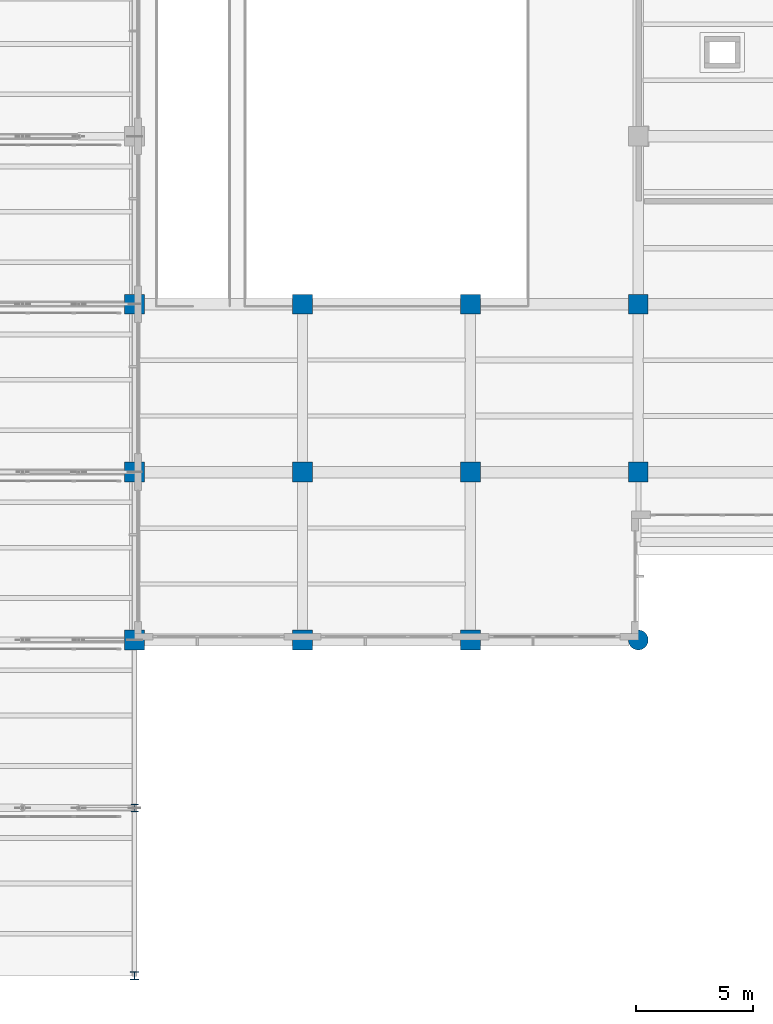
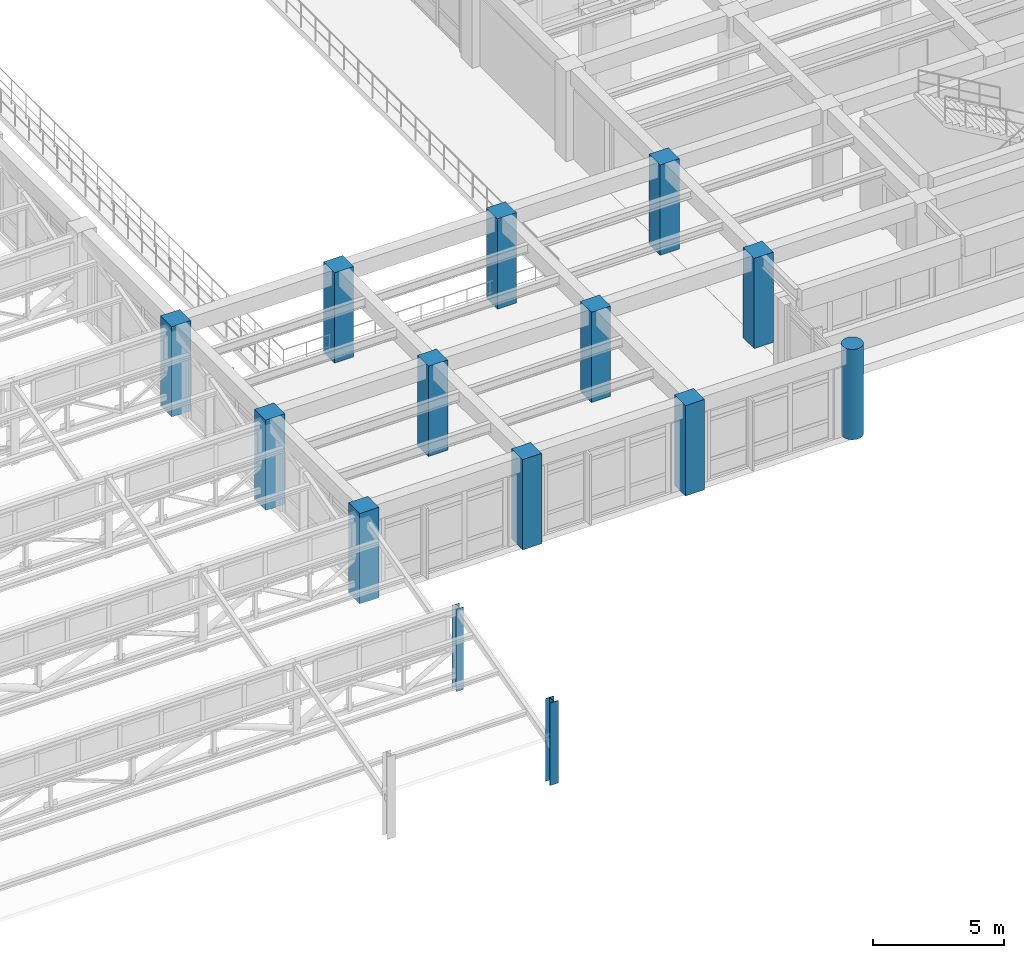
# One storey, part 2 of 98: 14 columns.
"""IFC4 building model written with IfcOpenShell, lengths in metres."""

import ifcopenshell
import ifcopenshell.guid

model = None  # the IFC model being written
_history = None  # IfcOwnerHistory: only IFC2X3 demands one
_inside = {}  # id of a spatial element -> (the spatial element, [elements in it])
_under = {}  # id of a project, library or spatial element -> (it, [spatial elements below it])
_declared = {}  # id of a project -> (the project, [libraries it declares])
_typed = {}  # id of a type object -> (the type object, [elements of that type])
_made_of = {}  # id of a material, layer set ... -> (it, [elements and type objects made of it])


def new_model(schema):
    """Start an empty IFC model of exactly this schema.

    Asked for "IFC4X3", IfcOpenShell would pick the latest addendum, in which some entities
    have other attributes; the version numbers below select the first issue.
    IFC2X3 requires an IfcOwnerHistory on every rooted entity: one is made here for all.
    """
    global model, _history
    if schema == "IFC4X3":
        model = ifcopenshell.file(schema_version=(4, 3, 0, 0))
    else:
        model = ifcopenshell.file(schema=schema)
    _inside.clear()
    _under.clear()
    _declared.clear()
    _typed.clear()
    _made_of.clear()
    _history = None
    if model.schema == "IFC2X3":
        org = make("IfcOrganization", Name="unknown")
        user = make(
            "IfcPersonAndOrganization",
            ThePerson=make("IfcPerson", FamilyName="unknown"),
            TheOrganization=org,
        )
        app = make(
            "IfcApplication",
            ApplicationDeveloper=org,
            Version="unknown",
            ApplicationFullName="unknown",
            ApplicationIdentifier="unknown",
        )
        _history = make(
            "IfcOwnerHistory",
            OwningUser=user,
            OwningApplication=app,
            ChangeAction="ADDED",
            CreationDate=0,
        )
    return model


def make(cls, **values):
    """One entity of the class cls with the attributes given. An attribute that is None is left unset."""
    return model.create_entity(
        cls, **{name: value for name, value in values.items() if value is not None}
    )


def rooted(cls, **values):
    """An entity with a GlobalId (a new one), such as an element, a storey or a relation."""
    return make(cls, GlobalId=ifcopenshell.guid.new(), OwnerHistory=_history, **values)


def si_unit(unit_type, name, prefix=None):
    """IfcSIUnit, for example si_unit("LENGTHUNIT", "METRE", prefix="MILLI")."""
    return make("IfcSIUnit", UnitType=unit_type, Prefix=prefix, Name=name)


def assignment(units):
    """IfcUnitAssignment: the units of a project."""
    return None if units is None else make("IfcUnitAssignment", Units=units)


def point(xyz):
    """IfcCartesianPoint."""
    return None if xyz is None else make("IfcCartesianPoint", Coordinates=xyz)


def direction(xyz):
    """IfcDirection."""
    return None if xyz is None else make("IfcDirection", DirectionRatios=xyz)


def frame(location, z_axis=None, x_axis=None):
    """IfcAxis2Placement3D, a coordinate frame: its origin and axes. An axis left out is left unset."""
    return make(
        "IfcAxis2Placement3D",
        Location=point(location),
        Axis=direction(z_axis),
        RefDirection=direction(x_axis),
    )


def frame_2d(location, x_axis=None):
    """IfcAxis2Placement2D, a coordinate frame in the plane: its origin and x axis."""
    return make(
        "IfcAxis2Placement2D", Location=point(location), RefDirection=direction(x_axis)
    )


def origin():
    """The frame at (0, 0, 0) with its axes left unset."""
    return frame((0.0, 0.0, 0.0))


def origin_2d():
    """The frame at (0, 0) in the plane with its x axis left unset."""
    return frame_2d((0.0, 0.0))


def place(relative_to, where):
    """IfcLocalPlacement: puts the frame where relative to a parent placement (None: the world)."""
    return make(
        "IfcLocalPlacement", PlacementRelTo=relative_to, RelativePlacement=where
    )


def context(
    kind, dimensions, precision=None, world=None, true_north=None, identifier=None
):
    """IfcGeometricRepresentationContext, for example the 3D "Model" context."""
    return make(
        "IfcGeometricRepresentationContext",
        ContextIdentifier=identifier,
        ContextType=kind,
        CoordinateSpaceDimension=dimensions,
        Precision=precision,
        WorldCoordinateSystem=world,
        TrueNorth=true_north,
    )


def subcontext(parent, identifier, kind, view, scale=None):
    """IfcGeometricRepresentationSubContext, for example "Body" below "Model"."""
    return make(
        "IfcGeometricRepresentationSubContext",
        ContextIdentifier=identifier,
        ContextType=kind,
        ParentContext=parent,
        TargetScale=scale,
        TargetView=view,
    )


def project(units=None, contexts=None):
    """IfcProject with its units and contexts."""
    return rooted(
        "IfcProject",
        Name="project",
        RepresentationContexts=contexts,
        UnitsInContext=assignment(units),
    )


def spatial(cls, under=None, at=None, **own):
    """A site, building, storey or space (cls), placed at a placement, below another one or the project."""
    s = rooted(cls, ObjectPlacement=at, **own)
    if under is not None:
        _under.setdefault(under.id(), (under, []))[1].append(s)
    return s


def profile(cls, at=None, kind="AREA", **sizes):
    """A parametric profile (cls). Its sizes go by their IFC names, for example OverallWidth=200.0."""
    return make(cls, ProfileType=kind, Position=at, **sizes)


def rectangle(**sizes):
    """IfcRectangleProfileDef."""
    return profile("IfcRectangleProfileDef", **sizes)


def circle(**sizes):
    """IfcCircleProfileDef."""
    return profile("IfcCircleProfileDef", **sizes)


def i_section(**sizes):
    """IfcIShapeProfileDef."""
    return profile("IfcIShapeProfileDef", **sizes)


def extrude(swept, where, along, depth):
    """IfcExtrudedAreaSolid: the profile swept, set in the frame where, extruded along a direction by depth."""
    return make(
        "IfcExtrudedAreaSolid",
        SweptArea=swept,
        Position=where,
        ExtrudedDirection=direction(along),
        Depth=depth,
    )


def shape(context_of_items, identifier, shape_type, items):
    """IfcShapeRepresentation: the items that make up one representation, for example the "Body"."""
    return make(
        "IfcShapeRepresentation",
        ContextOfItems=context_of_items,
        RepresentationIdentifier=identifier,
        RepresentationType=shape_type,
        Items=items,
    )


def material(Name=None, Category=None):
    """IfcMaterial."""
    return make("IfcMaterial", Name=Name, Category=Category)


def material_profile(
    of_material, cross_section, Name=None, Category=None, Priority=None
):
    """IfcMaterialProfile: a cross section and its material."""
    return make(
        "IfcMaterialProfile",
        Name=Name,
        Material=of_material,
        Profile=cross_section,
        Priority=Priority,
        Category=Category,
    )


def profile_set(profiles, Name=None, composite=None):
    """IfcMaterialProfileSet."""
    return make(
        "IfcMaterialProfileSet",
        Name=Name,
        MaterialProfiles=profiles,
        CompositeProfile=composite,
    )


def made_of(thing, what):
    """Note that an element or type object is made of a material, layer set ...; save() writes the relation."""
    if what is not None:
        _made_of.setdefault(what.id(), (what, []))[1].append(thing)
    return thing


def type_object(cls, material=None, **own):
    """A type object (cls), such as IfcWallType, which elements share."""
    return made_of(rooted(cls, **own), material)


def element(
    cls,
    number,
    at=None,
    inside=None,
    cuts=None,
    type_object=None,
    material=None,
    context=None,
    identifier="Body",
    shape_type=None,
    held_by="IfcProductDefinitionShape",
    body=None,
    shapes=None,
    **own,
):
    """One element of the class cls, such as IfcWall. Its Tag is "e" and its number.

    at: its placement. inside: the storey or other place that contains it. cuts: it is an
    opening in that element (IfcRelVoidsElement). A single representation is given by context,
    identifier, shape_type and body (its items); several are given by shapes. held_by: the class
    of the entity that holds the representations. save() writes the other relations.
    """
    e = rooted(cls, Tag="e%d" % number, ObjectPlacement=at, **own)
    if body is not None:
        shapes = [shape(context, identifier, shape_type, body)]
    if shapes is not None:
        e.Representation = make(held_by, Representations=shapes)
    if inside is not None:
        _inside.setdefault(inside.id(), (inside, []))[1].append(e)
    if cuts is not None:
        rooted(
            "IfcRelVoidsElement", RelatingBuildingElement=cuts, RelatedOpeningElement=e
        )
    if type_object is not None:
        _typed.setdefault(type_object.id(), (type_object, []))[1].append(e)
    return made_of(e, material)


def aggregate(whole, parts):
    """IfcRelAggregates: a whole, such as a stair, and the parts it consists of."""
    return rooted("IfcRelAggregates", RelatingObject=whole, RelatedObjects=parts)


def save(model, path):
    """Write the relations noted so far, then the file.

    IfcRelAggregates (storeys below a building ...), IfcRelContainedInSpatialStructure (elements
    in a storey), IfcRelDefinesByType, IfcRelAssociatesMaterial and IfcRelDeclares: one each for
    every whole, place, type object, material and project.
    """
    for whole, parts in _under.values():
        aggregate(whole, parts)
    for where, things in _inside.values():
        rooted(
            "IfcRelContainedInSpatialStructure",
            RelatedElements=things,
            RelatingStructure=where,
        )
    for kind, things in _typed.values():
        rooted("IfcRelDefinesByType", RelatedObjects=things, RelatingType=kind)
    for what, things in _made_of.values():
        rooted("IfcRelAssociatesMaterial", RelatedObjects=things, RelatingMaterial=what)
    for by, libraries in _declared.values():
        rooted("IfcRelDeclares", RelatingContext=by, RelatedDefinitions=libraries)
    model.write(path)


model = new_model("IFC4")

# Units and contexts
model_context = context("Model", 3, precision=1e-05, world=origin(), true_north=direction((0.0, 1.0)))
body_context = subcontext(model_context, "Body", "Model", "MODEL_VIEW")
ifc_project = project(units=[si_unit("LENGTHUNIT", "METRE"), si_unit("AREAUNIT", "SQUARE_METRE"), si_unit("VOLUMEUNIT", "CUBIC_METRE"), si_unit("PLANEANGLEUNIT", "RADIAN"), si_unit("MASSUNIT", "GRAM", prefix="KILO")], contexts=[model_context])

# Site, building, storey
site_placement = place(None, origin())
site = spatial("IfcSite", under=ifc_project, at=site_placement, CompositionType="ELEMENT")
building_placement = place(site_placement, origin())
building = spatial("IfcBuilding", under=site, at=building_placement, Name="Solenvale Faculty of Natural Sciences", CompositionType="ELEMENT")
storey_placement = place(building_placement, frame((0.0, 0.0, 9.0)))
storey = spatial("IfcBuildingStorey", under=building, at=storey_placement, Name="L02", CompositionType="ELEMENT", Elevation=9.0)

# Columns
ifc_material_1 = material(Name="Concrete 50 MPa", Category="concrete")
ifc_material_profile_1 = material_profile(ifc_material_1, rectangle(XDim=0.85009765625, YDim=0.85009765625, at=origin_2d()), Name="RC-COL-850x850")
ifc_profile_set_1 = profile_set([ifc_material_profile_1], Name="Concrete 50 MPa")
column_type_1 = type_object("IfcColumnType", Name="COL-RC-850", PredefinedType="COLUMN", material=ifc_profile_set_1)
for number, where, z_axis, x_axis, name in (
    (1, (36.0, 14.39990234375, 0.0), (0.0, 0.0, 1.0), (1.0, 0.0, 0.0), "L02 Column (36.0, 14.4)"),
    (2, (36.0, 21.60009765625, 0.0), (0.0, 0.0, 1.0), (1.0, 0.0, 0.0), "L02 Column (36.0, 21.6)"),
    (3, (36.0, 28.800048828125, 0.0), (0.0, 0.0, 1.0), (1.0, 0.0, 0.0), "L02 Column (36.0, 28.8)"),
    (4, (43.199951171875, 14.39990234375, 0.0), (0.0, 0.0, 1.0), (1.0, 0.0, 0.0), "L02 Column (43.2, 14.4)"),
    (5, (43.199951171875, 21.60009765625, 0.0), (0.0, 0.0, 1.0), (1.0, 0.0, 0.0), "L02 Column (43.2, 21.6)"),
    (6, (43.199951171875, 28.800048828125, 0.0), (0.0, 0.0, 1.0), (1.0, 0.0, 0.0), "L02 Column (43.2, 28.8)"),
    (7, (50.39990234375, 14.39990234375, 0.0), (0.0, 0.0, 1.0), (1.0, 0.0, 0.0), "L02 Column (50.4, 14.4)"),
    (8, (50.39990234375, 21.60009765625, 0.0), (0.0, 0.0, 1.0), (1.0, 0.0, 0.0), "L02 Column (50.4, 21.6)"),
    (9, (50.39990234375, 28.800048828125, 0.0), (0.0, 0.0, 1.0), (1.0, 0.0, 0.0), "L02 Column (50.4, 28.8)"),
    (10, (57.60009765625, 21.60009765625, 0.0), (0.0, 0.0, 1.0), (1.0, 0.0, 0.0), "L02 Column (57.6, 21.6)"),
    (11, (57.60009765625, 28.800048828125, 0.0), (0.0, 0.0, 1.0), (1.0, 0.0, 0.0), "L02 Column (57.6, 28.8)"),
):
    element("IfcColumn", number, at=place(storey_placement, frame(where, z_axis=z_axis, x_axis=x_axis)), inside=storey, type_object=column_type_1, Name=name, PredefinedType="COLUMN", context=body_context, shape_type="SweptSolid", body=[
        extrude(rectangle(XDim=0.85009765625, YDim=0.85009765625, at=origin_2d()), origin(), (0.0, 0.0, 1.0), 4.219970703125),
    ])
ifc_material_2 = material(Name="Architectural bronze concrete 40 MPa", Category="concrete")
ifc_material_profile_2 = material_profile(ifc_material_2, circle(Radius=0.425048828125, at=origin_2d()), Name="RC-COL-D850")
ifc_profile_set_2 = profile_set([ifc_material_profile_2], Name="Architectural bronze concrete 40 MPa")
column_type_2 = type_object("IfcColumnType", Name="COL-RC-D850", PredefinedType="COLUMN", material=ifc_profile_set_2)
column_1_placement = place(storey_placement, frame((57.60009765625, 14.39990234375, 0.0), z_axis=(0.0, 0.0, 1.0), x_axis=(1.0, 0.0, 0.0)))
element("IfcColumn", 12, at=column_1_placement, inside=storey, type_object=column_type_2, Name="L02 Column (57.6, 14.4)", PredefinedType="COLUMN", context=body_context, shape_type="SweptSolid", body=[
    extrude(circle(Radius=0.425048828125, at=origin_2d()), origin(), (0.0, 0.0, 1.0), 4.219970703125),
])
ifc_material_3 = material(Name="Steel S355", Category="steel")
ifc_material_profile_3 = material_profile(ifc_material_3, i_section(OverallWidth=0.30810546875, OverallDepth=0.318115234375, WebThickness=0.01318359375, FlangeThickness=0.0205078125, FilletRadius=0.014892578125, at=origin_2d()), Name="W310x129")
ifc_profile_set_3 = profile_set([ifc_material_profile_3], Name="Steel S355")
column_type_3 = type_object("IfcColumnType", Name="COL-STL-W310x129", PredefinedType="COLUMN", material=ifc_profile_set_3)
column_2_placement = place(storey_placement, frame((36.0, 7.199951171875, 0.0), z_axis=(0.0, 0.0, 1.0), x_axis=(1.0, 0.0, 0.0)))
element("IfcColumn", 13, at=column_2_placement, inside=storey, type_object=column_type_3, Name="V1 Sawtooth Monitor Column 2 X36", PredefinedType="COLUMN", context=body_context, shape_type="SweptSolid", body=[
    extrude(i_section(OverallWidth=0.30810546875, OverallDepth=0.318115234375, WebThickness=0.01318359375, FlangeThickness=0.0205078125, FilletRadius=0.014892578125, at=origin_2d()), origin(), (0.0, 0.0, 1.0), 3.860107421875),
])
ifc_material_profile_4 = material_profile(ifc_material_3, i_section(OverallWidth=0.37109375, OverallDepth=0.364013671875, WebThickness=0.01318359375, FlangeThickness=0.021728515625, FilletRadius=0.02197265625, at=origin_2d()), Name="W360x162")
ifc_profile_set_4 = profile_set([ifc_material_profile_4], Name="Steel S355")
column_type_4 = type_object("IfcColumnType", Name="COL-STL-W360x162", PredefinedType="COLUMN", material=ifc_profile_set_4)
column_3_placement = place(storey_placement, frame((36.0, 0.0, 0.0), z_axis=(0.0, 0.0, 1.0), x_axis=(1.0, 0.0, 0.0)))
element("IfcColumn", 14, at=column_3_placement, inside=storey, type_object=column_type_4, Name="V1 Sawtooth Monitor Column 1 X36", PredefinedType="COLUMN", context=body_context, shape_type="SweptSolid", body=[
    extrude(i_section(OverallWidth=0.37109375, OverallDepth=0.364013671875, WebThickness=0.01318359375, FlangeThickness=0.021728515625, FilletRadius=0.02197265625, at=origin_2d()), origin(), (0.0, 0.0, 1.0), 3.860107421875),
])

save(model, "model.ifc")
